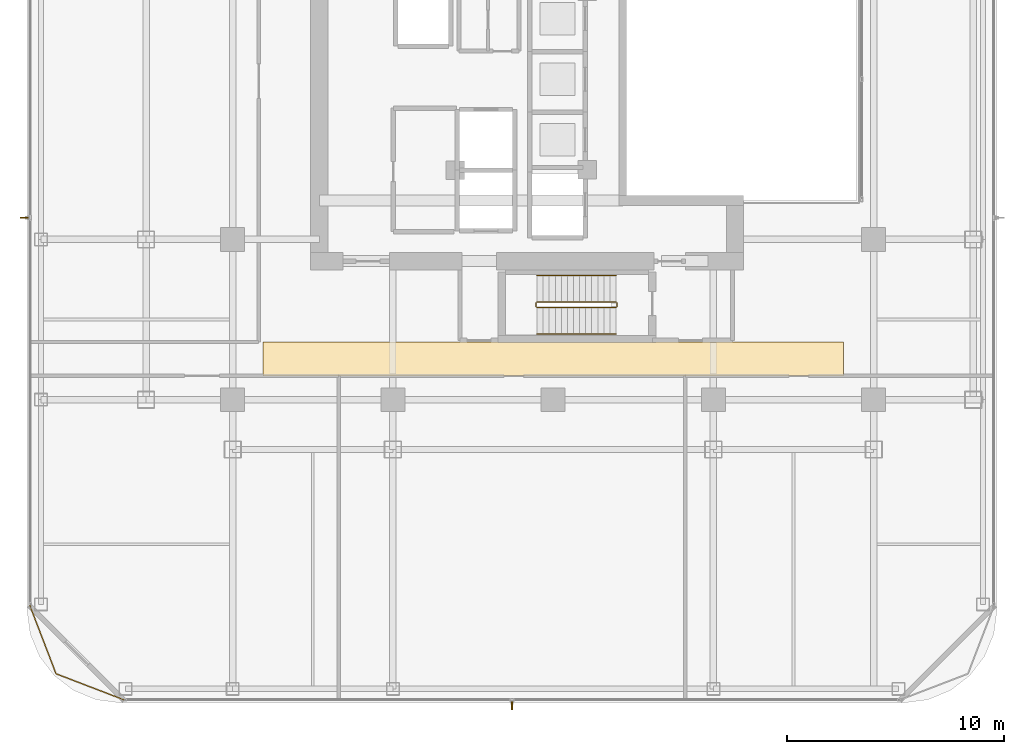
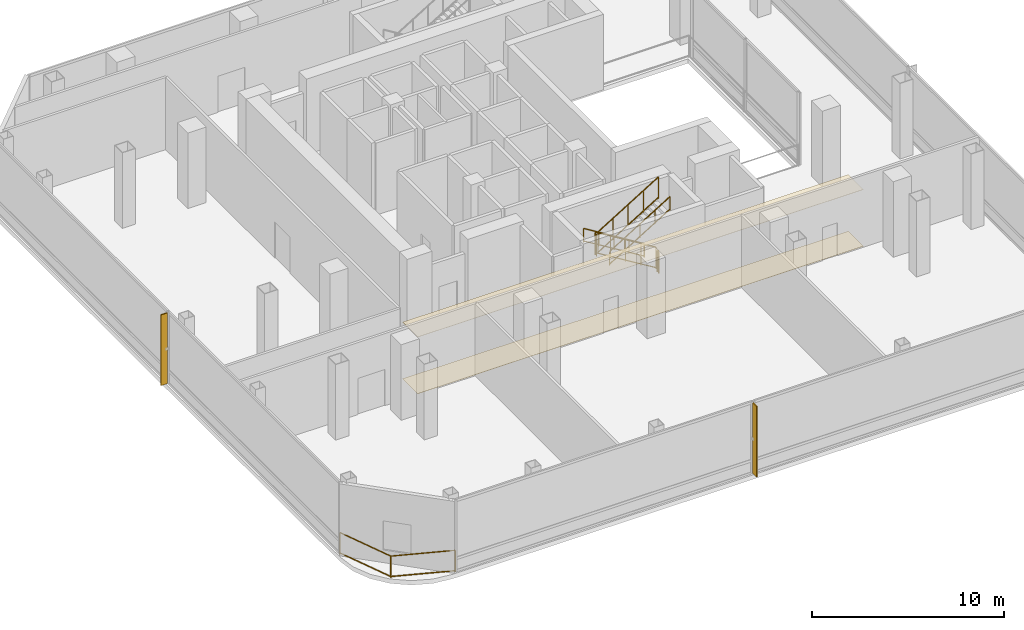
# One storey, part 19 of 22: 7 railings, 2 coverings, 2 shading devices.
"""IFC4 building model written with IfcOpenShell, lengths in metres."""

from ifc_helpers import new_model, si_unit, direction, frame, origin, origin_2d, place, context, subcontext, project, spatial, polyline, rectangle, outline, extrude, material, layer, layer_set, type_object, element, save


model = new_model("IFC4")

# Units and contexts
model_context = context("Model", 3, precision=1e-05, world=origin(), true_north=direction((0.0, 1.0)))
body_context = subcontext(model_context, "Body", "Model", "MODEL_VIEW")
ifc_project = project(units=[si_unit("LENGTHUNIT", "METRE"), si_unit("AREAUNIT", "SQUARE_METRE"), si_unit("VOLUMEUNIT", "CUBIC_METRE"), si_unit("PLANEANGLEUNIT", "RADIAN"), si_unit("MASSUNIT", "GRAM", prefix="KILO")], contexts=[model_context])

# Site, building, storey
site_placement = place(None, origin())
site = spatial("IfcSite", under=ifc_project, at=site_placement, CompositionType="ELEMENT")
building_placement = place(site_placement, origin())
building = spatial("IfcBuilding", under=site, at=building_placement, Name="Khorvyn Point Tower", CompositionType="ELEMENT")
storey_placement = place(building_placement, frame((0.0, 0.0, 210.89990234375)))
storey = spatial("IfcBuildingStorey", under=building, at=storey_placement, Name="L52", CompositionType="ELEMENT", Elevation=210.89990234375)

# Shading devices
ifc_material_1 = material(Name="Bronze anodised aluminium 6063-T6", Category="aluminium")
ifc_layer_1 = layer(ifc_material_1, 0.06494140625)
ifc_layer_set_1 = layer_set([ifc_layer_1], Name="Bronze Anodised Aluminium FIN 380x65")
shading_device_type = type_object("IfcShadingDeviceType", Name="Bronze Anodised Aluminium FIN 380x65", PredefinedType="USERDEFINED", material=ifc_layer_set_1)
for number, where, z_axis, x_axis, name in (
    (1, (-1.89990234375, -28.929931640625, 0.0400390625), (0.0, 0.0, 1.0), (0.0, -1.0, 0.0), "L52 Anodised FIN 01"),
    (2, (-24.429931640625, -6.39990234375, 0.0400390625), (0.0, 0.0, 1.0), (-1.0, 0.0, 0.0), "L52 Anodised FIN 01"),
):
    element("IfcShadingDevice", number, at=place(storey_placement, frame(where, z_axis=z_axis, x_axis=x_axis)), inside=storey, type_object=shading_device_type, Name=name, ObjectType="FIN", PredefinedType="USERDEFINED", context=body_context, shape_type="SweptSolid", body=[
        extrude(rectangle(XDim=0.3798828125, YDim=0.06494140625, at=origin_2d()), origin(), (0.0, 0.0, 1.0), 4.5),
    ])

# Railing
ifc_material_2 = material(Name="Anodised aluminium 6063-T6 and laminated safety glass", Category="aluminium")
railing_type_1 = type_object("IfcRailingType", Name="Laminated Glass and Aluminium Balcony Guardrail 1400", PredefinedType="BALUSTRADE", material=ifc_material_2)
railing_1_placement = place(storey_placement, frame((-24.17431640625, -24.28125, 0.0)))
element("IfcRailing", 3, at=railing_1_placement, inside=storey, type_object=railing_type_1, Name="L52 Rounded Corner Edge Guardrail SW", PredefinedType="BALUSTRADE", context=body_context, shape_type="SweptSolid", body=[
    extrude(rectangle(XDim=0.048095703125, YDim=0.048095703125, at=origin_2d()), frame((0.0, 0.0, 1.3759765625), z_axis=(0.358343916815, -0.933589651443, 0.0), x_axis=(0.933589651443, 0.358343916815, 0.0)), (0.0, 0.0, 1.0), 3.400390625),
    extrude(rectangle(XDim=0.048095703125, YDim=0.048095703125, at=origin_2d()), frame((0.0, 0.0, 0.080078125), z_axis=(0.358343916815, -0.933589651443, 0.0), x_axis=(0.933589651443, 0.358343916815, 0.0)), (0.0, 0.0, 1.0), 3.400390625),
    extrude(rectangle(XDim=0.048095703125, YDim=0.048095703125, at=origin_2d()), frame((1.218505859375, -3.174560546875, 1.3759765625), z_axis=(0.933589651443, -0.358343916815, 0.0), x_axis=(0.358343916815, 0.933589651443, 0.0)), (0.0, 0.0, 1.0), 3.400390625),
    extrude(rectangle(XDim=0.048095703125, YDim=0.048095703125, at=origin_2d()), frame((1.218505859375, -3.174560546875, 0.080078125), z_axis=(0.933589651443, -0.358343916815, 0.0), x_axis=(0.358343916815, 0.933589651443, 0.0)), (0.0, 0.0, 1.0), 3.400390625),
    extrude(rectangle(XDim=0.0419921875, YDim=0.0419921875, at=origin_2d()), origin(), (0.0, 0.0, 1.0), 1.351806640625),
    extrude(rectangle(XDim=0.0419921875, YDim=0.0419921875, at=origin_2d()), frame((1.218505859375, -3.174560546875, 0.0)), (0.0, 0.0, 1.0), 1.351806640625),
    extrude(rectangle(XDim=0.0419921875, YDim=0.0419921875, at=origin_2d()), frame((4.39306640625, -4.39306640625, 0.0)), (0.0, 0.0, 1.0), 1.351806640625),
])

# Coverings
ifc_material_3 = material(Name="Mineral-fibre acoustic ceiling board", Category="gypsum")
ifc_layer_2 = layer(ifc_material_3, 0.02001953125)
ifc_layer_set_2 = layer_set([ifc_layer_2], Name="Perforated Mineral-Fibre Acoustic Suspended Ceiling 20")
covering_type_1 = type_object("IfcCoveringType", Name="Perforated Mineral-Fibre Acoustic Suspended Ceiling 20", PredefinedType="CEILING", material=ifc_layer_set_2)
covering_1_placement = place(storey_placement, frame((0.0, 0.0, 3.60009765625)))
element("IfcCovering", 4, at=covering_1_placement, inside=storey, type_object=covering_type_1, Name="L52 South Corridor Acoustic Ceiling", PredefinedType="CEILING", context=body_context, shape_type="SweptSolid", body=[
    extrude(outline(polyline([(-13.39990234375, -13.7099609375), (13.39990234375, -13.7099609375), (13.39990234375, -12.139892578125), (-13.39990234375, -12.139892578125), (-13.39990234375, -13.7099609375)])), origin(), (0.0, 0.0, 1.0), 0.02001953125),
])
ifc_material_4 = material(Name="Vitrified porcelain terrazzo tile", Category="ceramic")
ifc_layer_3 = layer(ifc_material_4, 0.01806640625)
ifc_layer_set_3 = layer_set([ifc_layer_3], Name="Porcelain Terrazzo Corridor Floor Finish Tile 18")
covering_type_2 = type_object("IfcCoveringType", Name="Porcelain Terrazzo Corridor Floor Finish Tile 18", PredefinedType="FLOORING", material=ifc_layer_set_3)
covering_2_placement = place(storey_placement, origin())
element("IfcCovering", 5, at=covering_2_placement, inside=storey, type_object=covering_type_2, Name="L52 South Corridor Terrazzo Flooring", PredefinedType="FLOORING", context=body_context, shape_type="SweptSolid", body=[
    extrude(outline(polyline([(-13.39990234375, -13.7099609375), (13.39990234375, -13.7099609375), (13.39990234375, -12.139892578125), (-13.39990234375, -12.139892578125), (-13.39990234375, -13.7099609375)])), origin(), (0.0, 0.0, 1.0), 0.01806640625),
])

# Railings
ifc_material_5 = material(Name="Stainless steel 1.4301", Category="steel")
railing_type_2 = type_object("IfcRailingType", Name="Stainless Steel 304 Stair Pitch Handrail 900", PredefinedType="HANDRAIL", material=ifc_material_5)
railing_2_placement = place(storey_placement, frame((2.89990234375, -9.070068359375, 0.171630859375)))
element("IfcRailing", 6, at=railing_2_placement, inside=storey, type_object=railing_type_2, Name="L52 ST-01 stair handrail 1", PredefinedType="HANDRAIL", context=body_context, shape_type="SweptSolid", body=[
    extrude(rectangle(XDim=0.048095703125, YDim=0.048095703125, at=origin_2d()), frame((0.0, 0.0, 0.8759765625), z_axis=(-0.852850264322, 0.0, 0.5221555579), x_axis=(0.0, -1.0, 0.0)), (0.0, 0.0, 1.0), 4.267822265625),
    extrude(rectangle(XDim=0.048095703125, YDim=0.048095703125, at=origin_2d()), frame((0.0, 0.0, 0.080078125), z_axis=(-0.852850264322, 0.0, 0.5221555579), x_axis=(0.0, -1.0, 0.0)), (0.0, 0.0, 1.0), 4.267822265625),
    extrude(rectangle(XDim=0.0419921875, YDim=0.0419921875, at=origin_2d()), origin(), (0.0, 0.0, 1.0), 0.851806640625),
    extrude(rectangle(XDim=0.0419921875, YDim=0.0419921875, at=origin_2d()), frame((-0.909912109375, 0.0, 0.55712890625)), (0.0, 0.0, 1.0), 0.851806640625),
    extrude(rectangle(XDim=0.0419921875, YDim=0.0419921875, at=origin_2d()), frame((-1.81982421875, 0.0, 1.1142578125)), (0.0, 0.0, 1.0), 0.851806640625),
    extrude(rectangle(XDim=0.0419921875, YDim=0.0419921875, at=origin_2d()), frame((-2.72998046875, 0.0, 1.67138671875)), (0.0, 0.0, 1.0), 0.851806640625),
    extrude(rectangle(XDim=0.0419921875, YDim=0.0419921875, at=origin_2d()), frame((-3.639892578125, 0.0, 2.228515625)), (0.0, 0.0, 1.0), 0.851806640625),
])
railing_3_placement = place(storey_placement, frame((-0.739990234375, -11.77001953125, 2.571533203125)))
element("IfcRailing", 7, at=railing_3_placement, inside=storey, type_object=railing_type_2, Name="L52 ST-01 stair handrail 2", PredefinedType="HANDRAIL", context=body_context, shape_type="SweptSolid", body=[
    extrude(rectangle(XDim=0.048095703125, YDim=0.048095703125, at=origin_2d()), frame((0.0, 0.0, 0.8759765625), z_axis=(0.852850264322, 0.0, 0.5221555579), x_axis=(0.0, 1.0, 0.0)), (0.0, 0.0, 1.0), 4.267822265625),
    extrude(rectangle(XDim=0.048095703125, YDim=0.048095703125, at=origin_2d()), frame((0.0, 0.0, 0.080078125), z_axis=(0.852850264322, 0.0, 0.5221555579), x_axis=(0.0, 1.0, 0.0)), (0.0, 0.0, 1.0), 4.267822265625),
    extrude(rectangle(XDim=0.0419921875, YDim=0.0419921875, at=origin_2d()), origin(), (0.0, 0.0, 1.0), 0.851806640625),
    extrude(rectangle(XDim=0.0419921875, YDim=0.0419921875, at=origin_2d()), frame((0.909912109375, 0.0, 0.55712890625)), (0.0, 0.0, 1.0), 0.851806640625),
    extrude(rectangle(XDim=0.0419921875, YDim=0.0419921875, at=origin_2d()), frame((1.81982421875, 0.0, 1.1142578125)), (0.0, 0.0, 1.0), 0.851806640625),
    extrude(rectangle(XDim=0.0419921875, YDim=0.0419921875, at=origin_2d()), frame((2.72998046875, 0.0, 1.67138671875)), (0.0, 0.0, 1.0), 0.851806640625),
    extrude(rectangle(XDim=0.0419921875, YDim=0.0419921875, at=origin_2d()), frame((3.639892578125, 0.0, 2.228515625)), (0.0, 0.0, 1.0), 0.851806640625),
])
railing_type_3 = type_object("IfcRailingType", Name="Stainless Steel 304 Stair Well Guardrail 1400", PredefinedType="GUARDRAIL", material=ifc_material_5)
railing_4_placement = place(storey_placement, frame((2.89990234375, -10.2900390625, 0.171630859375)))
element("IfcRailing", 8, at=railing_4_placement, inside=storey, type_object=railing_type_3, Name="L52 ST-01 stair guard 1", PredefinedType="GUARDRAIL", context=body_context, shape_type="SweptSolid", body=[
    extrude(rectangle(XDim=0.048095703125, YDim=0.048095703125, at=origin_2d()), frame((0.0, 0.0, 1.3759765625), z_axis=(-0.852850264322, 0.0, 0.5221555579), x_axis=(0.0, -1.0, 0.0)), (0.0, 0.0, 1.0), 4.267822265625),
    extrude(rectangle(XDim=0.048095703125, YDim=0.048095703125, at=origin_2d()), frame((0.0, 0.0, 0.080078125), z_axis=(-0.852850264322, 0.0, 0.5221555579), x_axis=(0.0, -1.0, 0.0)), (0.0, 0.0, 1.0), 4.267822265625),
    extrude(rectangle(XDim=0.0419921875, YDim=0.0419921875, at=origin_2d()), origin(), (0.0, 0.0, 1.0), 1.351806640625),
    extrude(rectangle(XDim=0.0419921875, YDim=0.0419921875, at=origin_2d()), frame((-0.909912109375, 0.0, 0.55712890625)), (0.0, 0.0, 1.0), 1.351806640625),
    extrude(rectangle(XDim=0.0419921875, YDim=0.0419921875, at=origin_2d()), frame((-1.81982421875, 0.0, 1.1142578125)), (0.0, 0.0, 1.0), 1.351806640625),
    extrude(rectangle(XDim=0.0419921875, YDim=0.0419921875, at=origin_2d()), frame((-2.72998046875, 0.0, 1.67138671875)), (0.0, 0.0, 1.0), 1.351806640625),
    extrude(rectangle(XDim=0.0419921875, YDim=0.0419921875, at=origin_2d()), frame((-3.639892578125, 0.0, 2.228515625)), (0.0, 0.0, 1.0), 1.351806640625),
])
railing_5_placement = place(storey_placement, frame((-0.7900390625, -10.340087890625, 2.400146484375)))
element("IfcRailing", 9, at=railing_5_placement, inside=storey, type_object=railing_type_3, Name="L52 ST-01 stair guard 2", PredefinedType="GUARDRAIL", context=body_context, shape_type="SweptSolid", body=[
    extrude(rectangle(XDim=0.048095703125, YDim=0.048095703125, at=origin_2d()), frame((0.0, 0.0, 1.3759765625), z_axis=(0.0, -1.0, 0.0), x_axis=(1.0, 0.0, 0.0)), (0.0, 0.0, 1.0), 0.159912109375),
    extrude(rectangle(XDim=0.048095703125, YDim=0.048095703125, at=origin_2d()), frame((0.0, 0.0, 0.080078125), z_axis=(0.0, -1.0, 0.0), x_axis=(1.0, 0.0, 0.0)), (0.0, 0.0, 1.0), 0.159912109375),
    extrude(rectangle(XDim=0.0419921875, YDim=0.0419921875, at=origin_2d()), origin(), (0.0, 0.0, 1.0), 1.351806640625),
    extrude(rectangle(XDim=0.0419921875, YDim=0.0419921875, at=origin_2d()), frame((0.0, -0.159912109375, 0.0)), (0.0, 0.0, 1.0), 1.351806640625),
])
railing_6_placement = place(storey_placement, frame((-0.739990234375, -10.550048828125, 2.571533203125)))
element("IfcRailing", 10, at=railing_6_placement, inside=storey, type_object=railing_type_3, Name="L52 ST-01 stair guard 3", PredefinedType="GUARDRAIL", context=body_context, shape_type="SweptSolid", body=[
    extrude(rectangle(XDim=0.048095703125, YDim=0.048095703125, at=origin_2d()), frame((0.0, 0.0, 1.3759765625), z_axis=(0.852850264322, 0.0, 0.5221555579), x_axis=(0.0, 1.0, 0.0)), (0.0, 0.0, 1.0), 4.267822265625),
    extrude(rectangle(XDim=0.048095703125, YDim=0.048095703125, at=origin_2d()), frame((0.0, 0.0, 0.080078125), z_axis=(0.852850264322, 0.0, 0.5221555579), x_axis=(0.0, 1.0, 0.0)), (0.0, 0.0, 1.0), 4.267822265625),
    extrude(rectangle(XDim=0.0419921875, YDim=0.0419921875, at=origin_2d()), origin(), (0.0, 0.0, 1.0), 1.351806640625),
    extrude(rectangle(XDim=0.0419921875, YDim=0.0419921875, at=origin_2d()), frame((0.909912109375, 0.0, 0.55712890625)), (0.0, 0.0, 1.0), 1.351806640625),
    extrude(rectangle(XDim=0.0419921875, YDim=0.0419921875, at=origin_2d()), frame((1.81982421875, 0.0, 1.1142578125)), (0.0, 0.0, 1.0), 1.351806640625),
    extrude(rectangle(XDim=0.0419921875, YDim=0.0419921875, at=origin_2d()), frame((2.72998046875, 0.0, 1.67138671875)), (0.0, 0.0, 1.0), 1.351806640625),
    extrude(rectangle(XDim=0.0419921875, YDim=0.0419921875, at=origin_2d()), frame((3.639892578125, 0.0, 2.228515625)), (0.0, 0.0, 1.0), 1.351806640625),
])
railing_7_placement = place(storey_placement, frame((2.949951171875, -10.340087890625, 0.0)))
element("IfcRailing", 11, at=railing_7_placement, inside=storey, type_object=railing_type_3, Name="L52 ST-01 stair guard 4", PredefinedType="GUARDRAIL", context=body_context, shape_type="SweptSolid", body=[
    extrude(rectangle(XDim=0.048095703125, YDim=0.048095703125, at=origin_2d()), frame((0.0, 0.0, 1.3759765625), z_axis=(0.0, -1.0, 0.0), x_axis=(1.0, 0.0, 0.0)), (0.0, 0.0, 1.0), 0.159912109375),
    extrude(rectangle(XDim=0.048095703125, YDim=0.048095703125, at=origin_2d()), frame((0.0, 0.0, 0.080078125), z_axis=(0.0, -1.0, 0.0), x_axis=(1.0, 0.0, 0.0)), (0.0, 0.0, 1.0), 0.159912109375),
    extrude(rectangle(XDim=0.0419921875, YDim=0.0419921875, at=origin_2d()), origin(), (0.0, 0.0, 1.0), 1.351806640625),
    extrude(rectangle(XDim=0.0419921875, YDim=0.0419921875, at=origin_2d()), frame((0.0, -0.159912109375, 0.0)), (0.0, 0.0, 1.0), 1.351806640625),
])

save(model, "model.ifc")
